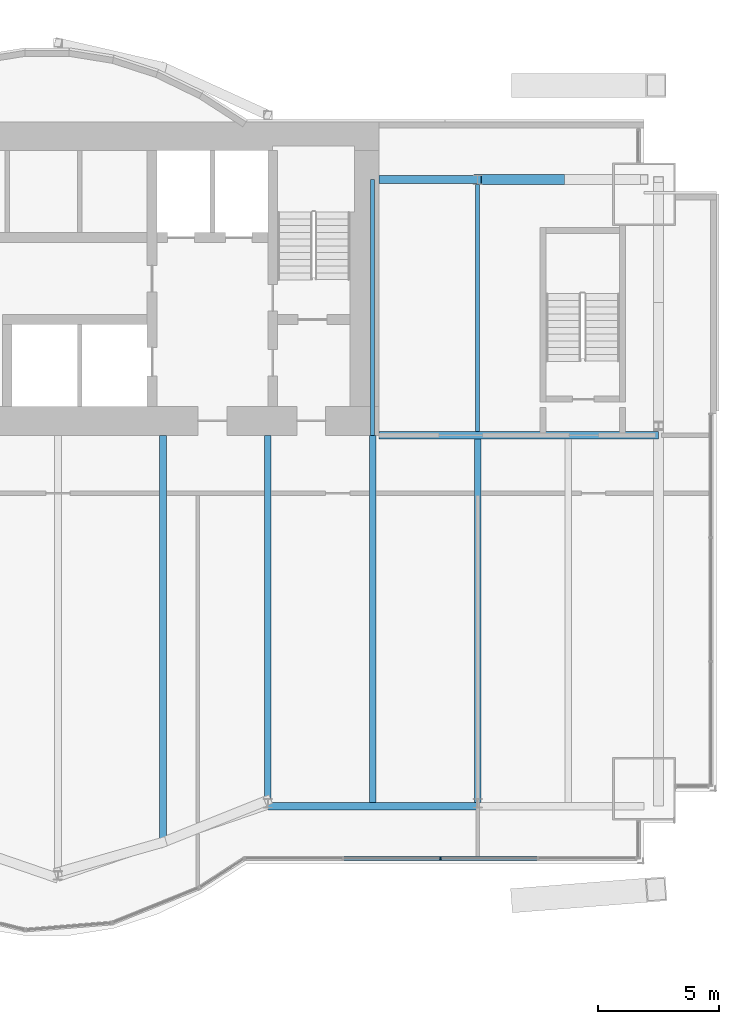
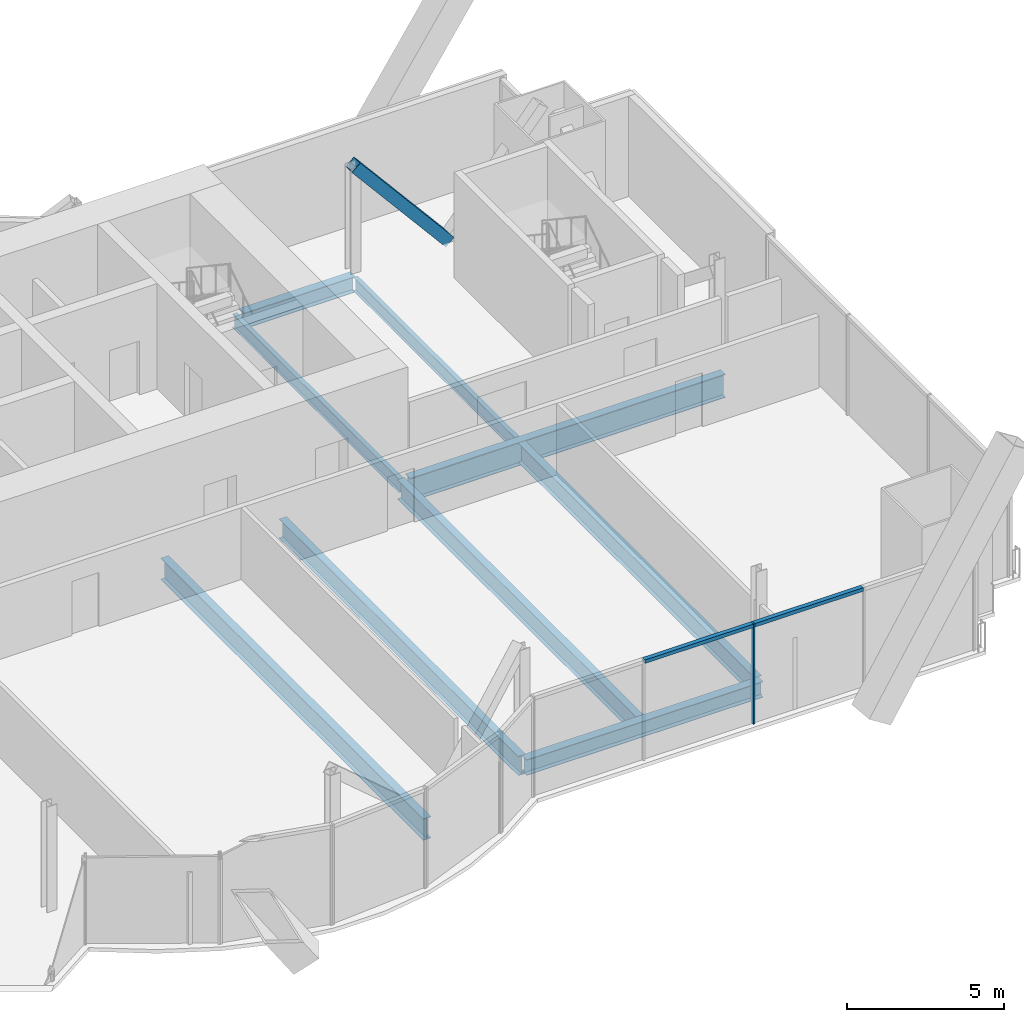
# One storey, part 9 of 20: 9 beams, 4 members, 1 element without a shape of its own.
"""IFC4 building model written with IfcOpenShell, lengths in metres."""

import ifcopenshell
import ifcopenshell.guid

model = None  # the IFC model being written
_history = None  # IfcOwnerHistory: only IFC2X3 demands one
_inside = {}  # id of a spatial element -> (the spatial element, [elements in it])
_under = {}  # id of a project, library or spatial element -> (it, [spatial elements below it])
_declared = {}  # id of a project -> (the project, [libraries it declares])
_typed = {}  # id of a type object -> (the type object, [elements of that type])
_made_of = {}  # id of a material, layer set ... -> (it, [elements and type objects made of it])


def new_model(schema):
    """Start an empty IFC model of exactly this schema.

    Asked for "IFC4X3", IfcOpenShell would pick the latest addendum, in which some entities
    have other attributes; the version numbers below select the first issue.
    IFC2X3 requires an IfcOwnerHistory on every rooted entity: one is made here for all.
    """
    global model, _history
    if schema == "IFC4X3":
        model = ifcopenshell.file(schema_version=(4, 3, 0, 0))
    else:
        model = ifcopenshell.file(schema=schema)
    _inside.clear()
    _under.clear()
    _declared.clear()
    _typed.clear()
    _made_of.clear()
    _history = None
    if model.schema == "IFC2X3":
        org = make("IfcOrganization", Name="unknown")
        user = make(
            "IfcPersonAndOrganization",
            ThePerson=make("IfcPerson", FamilyName="unknown"),
            TheOrganization=org,
        )
        app = make(
            "IfcApplication",
            ApplicationDeveloper=org,
            Version="unknown",
            ApplicationFullName="unknown",
            ApplicationIdentifier="unknown",
        )
        _history = make(
            "IfcOwnerHistory",
            OwningUser=user,
            OwningApplication=app,
            ChangeAction="ADDED",
            CreationDate=0,
        )
    return model


def make(cls, **values):
    """One entity of the class cls with the attributes given. An attribute that is None is left unset."""
    return model.create_entity(
        cls, **{name: value for name, value in values.items() if value is not None}
    )


def rooted(cls, **values):
    """An entity with a GlobalId (a new one), such as an element, a storey or a relation."""
    return make(cls, GlobalId=ifcopenshell.guid.new(), OwnerHistory=_history, **values)


def si_unit(unit_type, name, prefix=None):
    """IfcSIUnit, for example si_unit("LENGTHUNIT", "METRE", prefix="MILLI")."""
    return make("IfcSIUnit", UnitType=unit_type, Prefix=prefix, Name=name)


def assignment(units):
    """IfcUnitAssignment: the units of a project."""
    return None if units is None else make("IfcUnitAssignment", Units=units)


def point(xyz):
    """IfcCartesianPoint."""
    return None if xyz is None else make("IfcCartesianPoint", Coordinates=xyz)


def direction(xyz):
    """IfcDirection."""
    return None if xyz is None else make("IfcDirection", DirectionRatios=xyz)


def frame(location, z_axis=None, x_axis=None):
    """IfcAxis2Placement3D, a coordinate frame: its origin and axes. An axis left out is left unset."""
    return make(
        "IfcAxis2Placement3D",
        Location=point(location),
        Axis=direction(z_axis),
        RefDirection=direction(x_axis),
    )


def frame_2d(location, x_axis=None):
    """IfcAxis2Placement2D, a coordinate frame in the plane: its origin and x axis."""
    return make(
        "IfcAxis2Placement2D", Location=point(location), RefDirection=direction(x_axis)
    )


def origin():
    """The frame at (0, 0, 0) with its axes left unset."""
    return frame((0.0, 0.0, 0.0))


def origin_2d():
    """The frame at (0, 0) in the plane with its x axis left unset."""
    return frame_2d((0.0, 0.0))


def place(relative_to, where):
    """IfcLocalPlacement: puts the frame where relative to a parent placement (None: the world)."""
    return make(
        "IfcLocalPlacement", PlacementRelTo=relative_to, RelativePlacement=where
    )


def context(
    kind, dimensions, precision=None, world=None, true_north=None, identifier=None
):
    """IfcGeometricRepresentationContext, for example the 3D "Model" context."""
    return make(
        "IfcGeometricRepresentationContext",
        ContextIdentifier=identifier,
        ContextType=kind,
        CoordinateSpaceDimension=dimensions,
        Precision=precision,
        WorldCoordinateSystem=world,
        TrueNorth=true_north,
    )


def subcontext(parent, identifier, kind, view, scale=None):
    """IfcGeometricRepresentationSubContext, for example "Body" below "Model"."""
    return make(
        "IfcGeometricRepresentationSubContext",
        ContextIdentifier=identifier,
        ContextType=kind,
        ParentContext=parent,
        TargetScale=scale,
        TargetView=view,
    )


def project(units=None, contexts=None):
    """IfcProject with its units and contexts."""
    return rooted(
        "IfcProject",
        Name="project",
        RepresentationContexts=contexts,
        UnitsInContext=assignment(units),
    )


def spatial(cls, under=None, at=None, **own):
    """A site, building, storey or space (cls), placed at a placement, below another one or the project."""
    s = rooted(cls, ObjectPlacement=at, **own)
    if under is not None:
        _under.setdefault(under.id(), (under, []))[1].append(s)
    return s


def profile(cls, at=None, kind="AREA", **sizes):
    """A parametric profile (cls). Its sizes go by their IFC names, for example OverallWidth=200.0."""
    return make(cls, ProfileType=kind, Position=at, **sizes)


def rectangle(**sizes):
    """IfcRectangleProfileDef."""
    return profile("IfcRectangleProfileDef", **sizes)


def hollow_rectangle(**sizes):
    """IfcRectangleHollowProfileDef."""
    return profile("IfcRectangleHollowProfileDef", **sizes)


def i_section(**sizes):
    """IfcIShapeProfileDef."""
    return profile("IfcIShapeProfileDef", **sizes)


def extrude(swept, where, along, depth):
    """IfcExtrudedAreaSolid: the profile swept, set in the frame where, extruded along a direction by depth."""
    return make(
        "IfcExtrudedAreaSolid",
        SweptArea=swept,
        Position=where,
        ExtrudedDirection=direction(along),
        Depth=depth,
    )


def shape(context_of_items, identifier, shape_type, items):
    """IfcShapeRepresentation: the items that make up one representation, for example the "Body"."""
    return make(
        "IfcShapeRepresentation",
        ContextOfItems=context_of_items,
        RepresentationIdentifier=identifier,
        RepresentationType=shape_type,
        Items=items,
    )


def material(Name=None, Category=None):
    """IfcMaterial."""
    return make("IfcMaterial", Name=Name, Category=Category)


def material_profile(
    of_material, cross_section, Name=None, Category=None, Priority=None
):
    """IfcMaterialProfile: a cross section and its material."""
    return make(
        "IfcMaterialProfile",
        Name=Name,
        Material=of_material,
        Profile=cross_section,
        Priority=Priority,
        Category=Category,
    )


def profile_set(profiles, Name=None, composite=None):
    """IfcMaterialProfileSet."""
    return make(
        "IfcMaterialProfileSet",
        Name=Name,
        MaterialProfiles=profiles,
        CompositeProfile=composite,
    )


def made_of(thing, what):
    """Note that an element or type object is made of a material, layer set ...; save() writes the relation."""
    if what is not None:
        _made_of.setdefault(what.id(), (what, []))[1].append(thing)
    return thing


def type_object(cls, material=None, **own):
    """A type object (cls), such as IfcWallType, which elements share."""
    return made_of(rooted(cls, **own), material)


def element(
    cls,
    number,
    at=None,
    inside=None,
    cuts=None,
    type_object=None,
    material=None,
    context=None,
    identifier="Body",
    shape_type=None,
    held_by="IfcProductDefinitionShape",
    body=None,
    shapes=None,
    **own,
):
    """One element of the class cls, such as IfcWall. Its Tag is "e" and its number.

    at: its placement. inside: the storey or other place that contains it. cuts: it is an
    opening in that element (IfcRelVoidsElement). A single representation is given by context,
    identifier, shape_type and body (its items); several are given by shapes. held_by: the class
    of the entity that holds the representations. save() writes the other relations.
    """
    e = rooted(cls, Tag="e%d" % number, ObjectPlacement=at, **own)
    if body is not None:
        shapes = [shape(context, identifier, shape_type, body)]
    if shapes is not None:
        e.Representation = make(held_by, Representations=shapes)
    if inside is not None:
        _inside.setdefault(inside.id(), (inside, []))[1].append(e)
    if cuts is not None:
        rooted(
            "IfcRelVoidsElement", RelatingBuildingElement=cuts, RelatedOpeningElement=e
        )
    if type_object is not None:
        _typed.setdefault(type_object.id(), (type_object, []))[1].append(e)
    return made_of(e, material)


def aggregate(whole, parts):
    """IfcRelAggregates: a whole, such as a stair, and the parts it consists of."""
    return rooted("IfcRelAggregates", RelatingObject=whole, RelatedObjects=parts)


def save(model, path):
    """Write the relations noted so far, then the file.

    IfcRelAggregates (storeys below a building ...), IfcRelContainedInSpatialStructure (elements
    in a storey), IfcRelDefinesByType, IfcRelAssociatesMaterial and IfcRelDeclares: one each for
    every whole, place, type object, material and project.
    """
    for whole, parts in _under.values():
        aggregate(whole, parts)
    for where, things in _inside.values():
        rooted(
            "IfcRelContainedInSpatialStructure",
            RelatedElements=things,
            RelatingStructure=where,
        )
    for kind, things in _typed.values():
        rooted("IfcRelDefinesByType", RelatedObjects=things, RelatingType=kind)
    for what, things in _made_of.values():
        rooted("IfcRelAssociatesMaterial", RelatedObjects=things, RelatingMaterial=what)
    for by, libraries in _declared.values():
        rooted("IfcRelDeclares", RelatingContext=by, RelatedDefinitions=libraries)
    model.write(path)


model = new_model("IFC4")

# Units and contexts
model_context = context("Model", 3, precision=1e-05, world=origin(), true_north=direction((0.0, 1.0)))
body_context = subcontext(model_context, "Body", "Model", "MODEL_VIEW")
ifc_project = project(units=[si_unit("LENGTHUNIT", "METRE"), si_unit("AREAUNIT", "SQUARE_METRE"), si_unit("VOLUMEUNIT", "CUBIC_METRE"), si_unit("PLANEANGLEUNIT", "RADIAN"), si_unit("MASSUNIT", "GRAM", prefix="KILO")], contexts=[model_context])

# Site, building, storey
site_placement = place(None, origin())
site = spatial("IfcSite", under=ifc_project, at=site_placement, CompositionType="ELEMENT")
building_placement = place(site_placement, origin())
building = spatial("IfcBuilding", under=site, at=building_placement, Name="Bicima Exchange Tower", CompositionType="ELEMENT")
storey_placement = place(building_placement, frame((0.0, 0.0, 231.89990234375)))
storey = spatial("IfcBuildingStorey", under=building, at=storey_placement, Name="L52", CompositionType="ELEMENT", Elevation=231.89990234375)

# Beams
ifc_material_1 = material(Name="Steel ASTM A992 Gr 50", Category="steel")
ifc_material_profile_1 = material_profile(ifc_material_1, i_section(OverallWidth=0.3046875, OverallDepth=0.911865234375, WebThickness=0.015869140625, FlangeThickness=0.02392578125, at=origin_2d()))
ifc_profile_set_1 = profile_set([ifc_material_profile_1], Name="Steel ASTM A992 Gr 50")
beam_type_1 = type_object("IfcBeamType", Name="Core-line girder W36x150", PredefinedType="BEAM", material=ifc_profile_set_1)
beam_1_placement = place(storey_placement, frame((22.0, -13.0, -0.605712890625), z_axis=(1.0, 0.0, 0.0), x_axis=(0.0, 1.0, 0.0)))
element("IfcBeam", 1, at=beam_1_placement, inside=storey, type_object=beam_type_1, Name="Core-line girder", PredefinedType="BEAM", context=body_context, shape_type="SweptSolid", body=[
    extrude(i_section(OverallWidth=0.3046875, OverallDepth=0.911865234375, WebThickness=0.015869140625, FlangeThickness=0.02392578125, at=origin_2d()), origin(), (0.0, 0.0, 1.0), 11.60009765625),
])
ifc_material_profile_2 = material_profile(ifc_material_1, i_section(OverallWidth=0.165771484375, OverallDepth=0.5283203125, WebThickness=0.009765625, FlangeThickness=0.013671875, at=origin_2d()))
ifc_profile_set_2 = profile_set([ifc_material_profile_2], Name="Steel ASTM A992 Gr 50")
beam_type_2 = type_object("IfcBeamType", Name="Floor beam W21x50", PredefinedType="JOIST", material=ifc_profile_set_2)
beam_2_placement = place(storey_placement, frame((21.75, -2.39990234375, -0.4140625), z_axis=(0.0, -1.0, 0.0), x_axis=(1.0, 0.0, 0.0)))
element("IfcBeam", 2, at=beam_2_placement, inside=storey, type_object=beam_type_2, Name="Floor beam", PredefinedType="JOIST", context=body_context, shape_type="SweptSolid", body=[
    extrude(i_section(OverallWidth=0.165771484375, OverallDepth=0.5283203125, WebThickness=0.009765625, FlangeThickness=0.013671875, at=origin_2d()), origin(), (0.0, 0.0, 1.0), 10.60009765625),
])
beam_3_placement = place(storey_placement, frame((26.10009765625, -2.5625, -0.4140625), z_axis=(0.0, -1.0, 0.0), x_axis=(1.0, 0.0, 0.0)))
element("IfcBeam", 3, at=beam_3_placement, inside=storey, type_object=beam_type_2, Name="Floor beam", PredefinedType="JOIST", context=body_context, shape_type="SweptSolid", body=[
    extrude(i_section(OverallWidth=0.165771484375, OverallDepth=0.5283203125, WebThickness=0.009765625, FlangeThickness=0.013671875, at=origin_2d()), origin(), (0.0, 0.0, 1.0), 10.28515625),
])
ifc_material_profile_3 = material_profile(ifc_material_1, i_section(OverallWidth=0.2666015625, OverallDepth=0.75439453125, WebThickness=0.01318359375, FlangeThickness=0.01708984375, at=origin_2d()))
ifc_profile_set_3 = profile_set([ifc_material_profile_3], Name="Steel ASTM A992 Gr 50")
beam_type_3 = type_object("IfcBeamType", Name="Floor beam W30x99", PredefinedType="JOIST", material=ifc_profile_set_3)
beam_4_placement = place(storey_placement, frame((17.39990234375, -13.0, -0.527099609375), z_axis=(0.0, -1.0, 0.0), x_axis=(1.0, 0.0, 0.0)))
element("IfcBeam", 4, at=beam_4_placement, inside=storey, type_object=beam_type_3, Name="Floor beam", PredefinedType="JOIST", context=body_context, shape_type="SweptSolid", body=[
    extrude(i_section(OverallWidth=0.2666015625, OverallDepth=0.75439453125, WebThickness=0.01318359375, FlangeThickness=0.01708984375, at=origin_2d()), origin(), (0.0, 0.0, 1.0), 15.240478515625),
])
beam_5_placement = place(storey_placement, frame((21.75, -13.0, -0.527099609375), z_axis=(0.0, -1.0, 0.0), x_axis=(1.0, 0.0, 0.0)))
element("IfcBeam", 5, at=beam_5_placement, inside=storey, type_object=beam_type_3, Name="Floor beam", PredefinedType="JOIST", context=body_context, shape_type="SweptSolid", body=[
    extrude(i_section(OverallWidth=0.2666015625, OverallDepth=0.75439453125, WebThickness=0.01318359375, FlangeThickness=0.01708984375, at=origin_2d()), origin(), (0.0, 0.0, 1.0), 15.21337890625),
])
beam_6_placement = place(storey_placement, frame((26.10009765625, -13.15234375, -0.527099609375), z_axis=(0.0, -1.0, 0.0), x_axis=(1.0, 0.0, 0.0)))
element("IfcBeam", 6, at=beam_6_placement, inside=storey, type_object=beam_type_3, Name="Floor beam", PredefinedType="JOIST", context=body_context, shape_type="SweptSolid", body=[
    extrude(i_section(OverallWidth=0.2666015625, OverallDepth=0.75439453125, WebThickness=0.01318359375, FlangeThickness=0.01708984375, at=origin_2d()), origin(), (0.0, 0.0, 1.0), 15.06103515625),
])
ifc_material_profile_4 = material_profile(ifc_material_1, i_section(OverallWidth=0.2919921875, OverallDepth=0.835693359375, WebThickness=0.013916015625, FlangeThickness=0.018798828125, at=origin_2d()))
ifc_profile_set_4 = profile_set([ifc_material_profile_4], Name="Steel ASTM A992 Gr 50")
beam_type_4 = type_object("IfcBeamType", Name="Floor beam W33x118", PredefinedType="JOIST", material=ifc_profile_set_4)
beam_7_placement = place(storey_placement, frame((13.050048828125, -13.0, -0.567626953125), z_axis=(0.0, -1.0, 0.0), x_axis=(1.0, 0.0, 0.0)))
element("IfcBeam", 7, at=beam_7_placement, inside=storey, type_object=beam_type_4, Name="Floor beam", PredefinedType="JOIST", context=body_context, shape_type="SweptSolid", body=[
    extrude(i_section(OverallWidth=0.2919921875, OverallDepth=0.835693359375, WebThickness=0.013916015625, FlangeThickness=0.018798828125, at=origin_2d()), origin(), (0.0, 0.0, 1.0), 16.73583984375),
])
ifc_material_profile_5 = material_profile(ifc_material_1, i_section(OverallWidth=0.3251953125, OverallDepth=0.612060546875, WebThickness=0.0126953125, FlangeThickness=0.01904296875, at=origin_2d()))
ifc_profile_set_5 = profile_set([ifc_material_profile_5], Name="Steel ASTM A992 Gr 50")
beam_type_5 = type_object("IfcBeamType", Name="Front girder W24x104", PredefinedType="BEAM", material=ifc_profile_set_5)
beam_8_placement = place(storey_placement, frame((17.39990234375, -28.3759765625, -0.4560546875), z_axis=(1.0, 0.0, 0.0), x_axis=(0.0, 1.0, 0.0)))
element("IfcBeam", 8, at=beam_8_placement, inside=storey, type_object=beam_type_5, Name="Front girder", PredefinedType="BEAM", context=body_context, shape_type="SweptSolid", body=[
    extrude(i_section(OverallWidth=0.3251953125, OverallDepth=0.612060546875, WebThickness=0.0126953125, FlangeThickness=0.01904296875, at=origin_2d()), origin(), (0.0, 0.0, 1.0), 8.7001953125),
])

# Curtain wall, members
ifc_material_2 = material(Name="Anodised bronze aluminium", Category="aluminium")
curtain_wall_type = type_object("IfcCurtainWallType", Name="Front glass wall", PredefinedType="NOTDEFINED", material=ifc_material_2)
curtain_wall_placement = place(storey_placement, origin())
curtain_wall = element("IfcCurtainWall", 9, at=curtain_wall_placement, inside=storey, type_object=curtain_wall_type, Name="Front glass wall L52 run 16", PredefinedType="NOTDEFINED")
ifc_material_profile_6 = material_profile(ifc_material_2, rectangle(XDim=0.159912109375, YDim=0.06005859375, at=origin_2d()))
ifc_profile_set_6 = profile_set([ifc_material_profile_6], Name="Anodised bronze aluminium")
member_type_1 = type_object("IfcMemberType", Name="Front glass wall mullion 60 x 160", PredefinedType="MULLION", material=ifc_profile_set_6)
member_1_placement = place(storey_placement, frame((24.56103515625, -30.5458984375, 0.0), z_axis=(0.0, 0.0, 1.0), x_axis=(0.0, 1.0, 0.0)))
member_1 = element("IfcMember", 10, at=member_1_placement, type_object=member_type_1, Name="Front glass wall mullion 3", PredefinedType="MULLION", context=body_context, shape_type="SweptSolid", body=[
    extrude(rectangle(XDim=0.159912109375, YDim=0.06005859375, at=origin_2d()), origin(), (0.0, 0.0, 1.0), 3.900146484375),
])
ifc_material_profile_7 = material_profile(ifc_material_2, rectangle(XDim=0.159912109375, YDim=0.139892578125, at=origin_2d()))
ifc_profile_set_7 = profile_set([ifc_material_profile_7], Name="Anodised bronze aluminium")
member_type_2 = type_object("IfcMemberType", Name="Front glass wall transom 140 x 160", PredefinedType="USERDEFINED", material=ifc_profile_set_7)
member_2_placement = place(storey_placement, frame((20.54150390625, -30.5458984375, 3.830078125), z_axis=(1.0, 0.0, 0.0), x_axis=(0.0, 1.0, 0.0)))
member_2 = element("IfcMember", 11, at=member_2_placement, type_object=member_type_2, Name="Front glass wall transom 2.1", ObjectType="TRANSOM", PredefinedType="USERDEFINED", context=body_context, shape_type="SweptSolid", body=[
    extrude(rectangle(XDim=0.159912109375, YDim=0.139892578125, at=origin_2d()), origin(), (0.0, 0.0, 1.0), 3.989501953125),
])
member_3_placement = place(storey_placement, frame((24.591064453125, -30.5458984375, 3.830078125), z_axis=(1.0, 0.0, 0.0), x_axis=(0.0, 1.0, 0.0)))
member_3 = element("IfcMember", 12, at=member_3_placement, type_object=member_type_2, Name="Front glass wall transom 3.1", ObjectType="TRANSOM", PredefinedType="USERDEFINED", context=body_context, shape_type="SweptSolid", body=[
    extrude(rectangle(XDim=0.159912109375, YDim=0.139892578125, at=origin_2d()), origin(), (0.0, 0.0, 1.0), 3.989501953125),
])
aggregate(curtain_wall, [member_1, member_2, member_3])

# Member
ifc_material_3 = material(Name="Steel ASTM A572 Gr 50", Category="steel")
ifc_material_profile_8 = material_profile(ifc_material_3, hollow_rectangle(XDim=0.406494140625, YDim=0.406494140625, WallThickness=0.0146484375, at=origin_2d()))
ifc_profile_set_8 = profile_set([ifc_material_profile_8], Name="Steel ASTM A572 Gr 50")
member_type_3 = type_object("IfcMemberType", Name="Mega brace HSS16x16x5/8", PredefinedType="BRACE", material=ifc_profile_set_8)
member_4_placement = place(storey_placement, frame((29.550048828125, -2.39990234375, 0.0), z_axis=(-0.643834042494, 0.0, 0.765165162384), x_axis=(0.0, -1.0, 0.0)))
element("IfcMember", 13, at=member_4_placement, inside=storey, type_object=member_type_3, Name="Mega brace rear", PredefinedType="BRACE", context=body_context, shape_type="SweptSolid", body=[
    extrude(hollow_rectangle(XDim=0.406494140625, YDim=0.406494140625, WallThickness=0.0146484375, at=origin_2d()), origin(), (0.0, 0.0, 1.0), 5.3583984375),
])

# Beam
beam_type_6 = type_object("IfcBeamType", Name="Rear girder W24x104", PredefinedType="BEAM", material=ifc_profile_set_5)
beam_9_placement = place(storey_placement, frame((22.0, -2.39990234375, -0.4560546875), z_axis=(1.0, 0.0, 0.0), x_axis=(0.0, 1.0, 0.0)))
element("IfcBeam", 14, at=beam_9_placement, inside=storey, type_object=beam_type_6, Name="Rear girder", PredefinedType="BEAM", context=body_context, shape_type="SweptSolid", body=[
    extrude(i_section(OverallWidth=0.3251953125, OverallDepth=0.612060546875, WebThickness=0.0126953125, FlangeThickness=0.01904296875, at=origin_2d()), origin(), (0.0, 0.0, 1.0), 4.10009765625),
])

save(model, "model.ifc")
